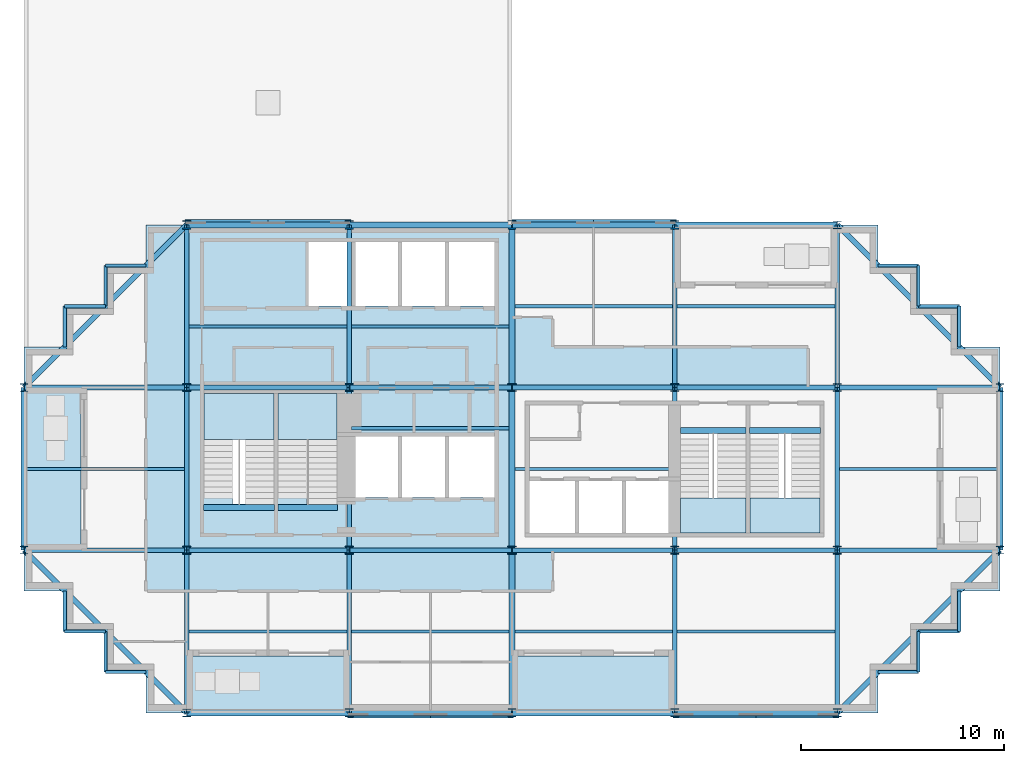
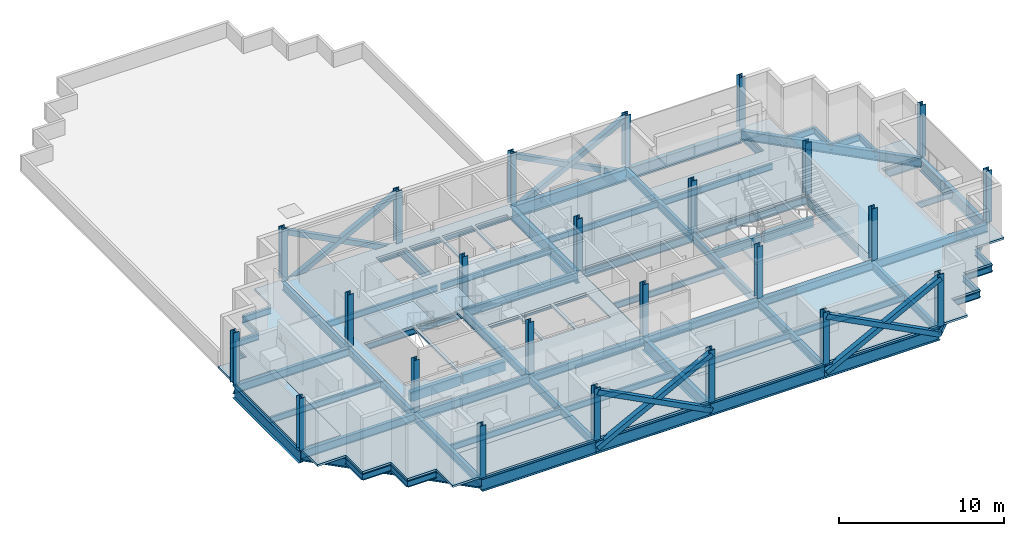
# One storey, part 1 of 9: 73 beams, 24 columns, 9 slabs, 8 members, 4 elements without a shape of their own.
"""IFC4 building model written with IfcOpenShell, lengths in metres."""

from ifc_helpers import new_model, si_unit, direction, frame, origin, origin_2d, place, context, subcontext, project, spatial, polyline, rectangle, hollow_rectangle, i_section, outline, extrude, material, layer, layer_set, material_profile, profile_set, type_object, element, aggregate, save


model = new_model("IFC4")

# Units and contexts
model_context = context("Model", 3, precision=1e-05, world=origin(), true_north=direction((0.0, 1.0)))
body_context = subcontext(model_context, "Body", "Model", "MODEL_VIEW")
ifc_project = project(units=[si_unit("LENGTHUNIT", "METRE"), si_unit("AREAUNIT", "SQUARE_METRE"), si_unit("VOLUMEUNIT", "CUBIC_METRE"), si_unit("PLANEANGLEUNIT", "RADIAN"), si_unit("MASSUNIT", "GRAM", prefix="KILO")], contexts=[model_context])

# Site, building, storey
site_placement = place(None, origin())
site = spatial("IfcSite", under=ifc_project, at=site_placement, CompositionType="ELEMENT")
building_placement = place(site_placement, origin())
building = spatial("IfcBuilding", under=site, at=building_placement, Name="Immortelle Media Tower", CompositionType="ELEMENT")
storey_placement = place(building_placement, frame((0.0, 0.0, 189.0)))
storey = spatial("IfcBuildingStorey", under=building, at=storey_placement, Name="L39", CompositionType="ELEMENT", Elevation=189.0)

# Columns
ifc_material_1 = material(Name="Steel ASTM A992 Gr 50", Category="steel")
ifc_material_profile_1 = material_profile(ifc_material_1, i_section(OverallWidth=0.39404296875, OverallDepth=0.3759765625, WebThickness=0.01708984375, FlangeThickness=0.028076171875, at=origin_2d()), Name="W14x145")
ifc_profile_set_1 = profile_set([ifc_material_profile_1], Name="Steel ASTM A992 Gr 50")
column_type_1 = type_object("IfcColumnType", Name="W14x145 column", PredefinedType="COLUMN", material=ifc_profile_set_1)
for number, where, z_axis, x_axis, name in (
    (1, (8.0, 8.0, 0.0), (0.0, 0.0, 1.0), (1.0, 0.0, 0.0), "Column 2/B"),
    (2, (8.0, 16.0, 0.0), (0.0, 0.0, 1.0), (1.0, 0.0, 0.0), "Column 2/C"),
    (3, (16.0, 8.0, 0.0), (0.0, 0.0, 1.0), (1.0, 0.0, 0.0), "Column 3/B"),
    (4, (16.0, 16.0, 0.0), (0.0, 0.0, 1.0), (1.0, 0.0, 0.0), "Column 3/C"),
    (5, (32.0, 8.0, 0.0), (0.0, 0.0, 1.0), (1.0, 0.0, 0.0), "Column 5/B"),
    (6, (32.0, 16.0, 0.0), (0.0, 0.0, 1.0), (1.0, 0.0, 0.0), "Column 5/C"),
    (7, (40.0, 8.0, 0.0), (0.0, 0.0, 1.0), (1.0, 0.0, 0.0), "Column 6/B"),
    (8, (40.0, 16.0, 0.0), (0.0, 0.0, 1.0), (1.0, 0.0, 0.0), "Column 6/C"),
):
    element("IfcColumn", number, at=place(storey_placement, frame(where, z_axis=z_axis, x_axis=x_axis)), inside=storey, type_object=column_type_1, Name=name, PredefinedType="COLUMN", context=body_context, shape_type="SweptSolid", body=[
        extrude(i_section(OverallWidth=0.39404296875, OverallDepth=0.3759765625, WebThickness=0.01708984375, FlangeThickness=0.028076171875, at=origin_2d()), origin(), (0.0, 0.0, 1.0), 3.85009765625),
    ])
ifc_material_profile_2 = material_profile(ifc_material_1, i_section(OverallWidth=0.39892578125, OverallDepth=0.385986328125, WebThickness=0.02099609375, FlangeThickness=0.032958984375, at=origin_2d()), Name="W14x176")
ifc_profile_set_2 = profile_set([ifc_material_profile_2], Name="Steel ASTM A992 Gr 50")
column_type_2 = type_object("IfcColumnType", Name="W14x176 column", PredefinedType="COLUMN", material=ifc_profile_set_2)
for number, where, z_axis, x_axis, name in (
    (9, (24.0, 8.0, 0.0), (0.0, 0.0, 1.0), (1.0, 0.0, 0.0), "Column 4/B"),
    (10, (24.0, 16.0, 0.0), (0.0, 0.0, 1.0), (1.0, 0.0, 0.0), "Column 4/C"),
):
    element("IfcColumn", number, at=place(storey_placement, frame(where, z_axis=z_axis, x_axis=x_axis)), inside=storey, type_object=column_type_2, Name=name, PredefinedType="COLUMN", context=body_context, shape_type="SweptSolid", body=[
        extrude(i_section(OverallWidth=0.39892578125, OverallDepth=0.385986328125, WebThickness=0.02099609375, FlangeThickness=0.032958984375, at=origin_2d()), origin(), (0.0, 0.0, 1.0), 3.85009765625),
    ])
ifc_material_profile_3 = material_profile(ifc_material_1, i_section(OverallWidth=0.40087890625, OverallDepth=0.39892578125, WebThickness=0.02490234375, FlangeThickness=0.0400390625, at=origin_2d()), Name="W14x211")
ifc_profile_set_3 = profile_set([ifc_material_profile_3], Name="Steel ASTM A992 Gr 50")
column_type_3 = type_object("IfcColumnType", Name="W14x211 column", PredefinedType="COLUMN", material=ifc_profile_set_3)
for number, where, z_axis, x_axis, name in (
    (11, (0.0, 8.0, 0.0), (0.0, 0.0, 1.0), (1.0, 0.0, 0.0), "Column 1/B"),
    (12, (0.0, 16.0, 0.0), (0.0, 0.0, 1.0), (1.0, 0.0, 0.0), "Column 1/C"),
    (13, (8.0, 0.0, 0.0), (0.0, 0.0, 1.0), (1.0, 0.0, 0.0), "Column 2/A"),
    (14, (40.0, 24.0, 0.0), (0.0, 0.0, 1.0), (1.0, 0.0, 0.0), "Column 6/D"),
    (15, (48.0, 8.0, 0.0), (0.0, 0.0, 1.0), (1.0, 0.0, 0.0), "Column 7/B"),
    (16, (48.0, 16.0, 0.0), (0.0, 0.0, 1.0), (1.0, 0.0, 0.0), "Column 7/C"),
):
    element("IfcColumn", number, at=place(storey_placement, frame(where, z_axis=z_axis, x_axis=x_axis)), inside=storey, type_object=column_type_3, Name=name, PredefinedType="COLUMN", context=body_context, shape_type="SweptSolid", body=[
        extrude(i_section(OverallWidth=0.40087890625, OverallDepth=0.39892578125, WebThickness=0.02490234375, FlangeThickness=0.0400390625, at=origin_2d()), origin(), (0.0, 0.0, 1.0), 3.85009765625),
    ])
ifc_material_profile_4 = material_profile(ifc_material_1, i_section(OverallWidth=0.410888671875, OverallDepth=0.43408203125, WebThickness=0.035888671875, FlangeThickness=0.056884765625, at=origin_2d()), Name="W14x311")
ifc_profile_set_4 = profile_set([ifc_material_profile_4], Name="Steel ASTM A992 Gr 50")
column_type_4 = type_object("IfcColumnType", Name="W14x311 column", PredefinedType="COLUMN", material=ifc_profile_set_4)
for number, where, z_axis, x_axis, name in (
    (17, (8.0, 24.0, 0.0), (0.0, 0.0, 1.0), (1.0, 0.0, 0.0), "Column 2/D"),
    (18, (16.0, 0.0, 0.0), (0.0, 0.0, 1.0), (1.0, 0.0, 0.0), "Column 3/A"),
    (19, (16.0, 24.0, 0.0), (0.0, 0.0, 1.0), (1.0, 0.0, 0.0), "Column 3/D"),
    (20, (24.0, 0.0, 0.0), (0.0, 0.0, 1.0), (1.0, 0.0, 0.0), "Column 4/A"),
    (21, (24.0, 24.0, 0.0), (0.0, 0.0, 1.0), (1.0, 0.0, 0.0), "Column 4/D"),
    (22, (32.0, 0.0, 0.0), (0.0, 0.0, 1.0), (1.0, 0.0, 0.0), "Column 5/A"),
    (23, (32.0, 24.0, 0.0), (0.0, 0.0, 1.0), (1.0, 0.0, 0.0), "Column 5/D"),
    (24, (40.0, 0.0, 0.0), (0.0, 0.0, 1.0), (1.0, 0.0, 0.0), "Column 6/A"),
):
    element("IfcColumn", number, at=place(storey_placement, frame(where, z_axis=z_axis, x_axis=x_axis)), inside=storey, type_object=column_type_4, Name=name, PredefinedType="COLUMN", context=body_context, shape_type="SweptSolid", body=[
        extrude(i_section(OverallWidth=0.410888671875, OverallDepth=0.43408203125, WebThickness=0.035888671875, FlangeThickness=0.056884765625, at=origin_2d()), origin(), (0.0, 0.0, 1.0), 3.85009765625),
    ])

# Members
ifc_material_2 = material(Name="Steel ASTM A500 Gr C", Category="steel")
ifc_material_profile_5 = material_profile(ifc_material_2, hollow_rectangle(XDim=0.35595703125, YDim=0.35595703125, WallThickness=0.011962890625, at=origin_2d()), Name="HSS14x14x1/2 brace")
ifc_profile_set_5 = profile_set([ifc_material_profile_5], Name="Steel ASTM A500 Gr C")
member_type = type_object("IfcMemberType", Name="HSS14x14x1/2 brace", PredefinedType="BRACE", material=ifc_profile_set_5)
for number, where, z_axis, x_axis, name in (
    (25, (16.0, -0.087890625, -0.60693359375), (0.887630683663, 0.0, 0.46055593517), (0.0, 1.0, 0.0), "Brace A/3-4 A"),
    (26, (16.0, -0.087890625, 3.5439453125), (0.887630683663, 0.0, -0.46055593517), (0.0, 1.0, 0.0), "Brace A/3-4 B"),
    (27, (32.0, -0.087890625, -0.60693359375), (0.887630683663, 0.0, 0.46055593517), (0.0, 1.0, 0.0), "Brace A/5-6 A"),
    (28, (32.0, -0.087890625, 3.5439453125), (0.887630683663, 0.0, -0.46055593517), (0.0, 1.0, 0.0), "Brace A/5-6 B"),
    (29, (32.0, 24.087890625, -0.60693359375), (-0.887630683663, 0.0, 0.46055593517), (0.0, -1.0, 0.0), "Brace D/4-5 A"),
    (30, (32.0, 24.087890625, 3.5439453125), (-0.887630683663, 0.0, -0.46055593517), (0.0, -1.0, 0.0), "Brace D/4-5 B"),
    (31, (16.0, 24.087890625, -0.60693359375), (-0.887630683663, 0.0, 0.46055593517), (0.0, -1.0, 0.0), "Brace D/2-3 A"),
    (32, (16.0, 24.087890625, 3.5439453125), (-0.887630683663, 0.0, -0.46055593517), (0.0, -1.0, 0.0), "Brace D/2-3 B"),
):
    element("IfcMember", number, at=place(storey_placement, frame(where, z_axis=z_axis, x_axis=x_axis)), inside=storey, type_object=member_type, Name=name, PredefinedType="BRACE", context=body_context, shape_type="SweptSolid", body=[
        extrude(hollow_rectangle(XDim=0.35595703125, YDim=0.35595703125, WallThickness=0.011962890625, at=origin_2d()), origin(), (0.0, 0.0, 1.0), 9.0126953125),
    ])

# Beams
ifc_material_3 = material(Name="Concrete C50/60", Category="concrete")
ifc_material_profile_6 = material_profile(ifc_material_3, rectangle(XDim=0.300048828125, YDim=0.699951171875, at=origin_2d()), Name="RC 300x700")
ifc_profile_set_6 = profile_set([ifc_material_profile_6], Name="Concrete C50/60")
beam_type_1 = type_object("IfcBeamType", Name="Stair trimmer beam 300 x 700", PredefinedType="BEAM", material=ifc_profile_set_6)
beam_1_placement = place(storey_placement, frame((8.830078125, 10.10498046875, -0.5), z_axis=(1.0, 0.0, 0.0), x_axis=(0.0, 1.0, 0.0)))
element("IfcBeam", 33, at=beam_1_placement, inside=storey, type_object=beam_type_1, Name="Stair trimmer beam SW1", PredefinedType="BEAM", context=body_context, shape_type="SweptSolid", body=[
    extrude(rectangle(XDim=0.300048828125, YDim=0.699951171875, at=origin_2d()), origin(), (0.0, 0.0, 1.0), 3.489990234375),
])
beam_2_placement = place(storey_placement, frame((12.47998046875, 10.10498046875, -0.5), z_axis=(1.0, 0.0, 0.0), x_axis=(0.0, 1.0, 0.0)))
element("IfcBeam", 34, at=beam_2_placement, inside=storey, type_object=beam_type_1, Name="Stair trimmer beam SW2", PredefinedType="BEAM", context=body_context, shape_type="SweptSolid", body=[
    extrude(rectangle(XDim=0.300048828125, YDim=0.699951171875, at=origin_2d()), origin(), (0.0, 0.0, 1.0), 2.93994140625),
])
beam_3_placement = place(storey_placement, frame((32.280029296875, 13.89501953125, -0.5), z_axis=(1.0, 0.0, 0.0), x_axis=(0.0, 1.0, 0.0)))
element("IfcBeam", 35, at=beam_3_placement, inside=storey, type_object=beam_type_1, Name="Stair trimmer beam SE1", PredefinedType="BEAM", context=body_context, shape_type="SweptSolid", body=[
    extrude(rectangle(XDim=0.300048828125, YDim=0.699951171875, at=origin_2d()), origin(), (0.0, 0.0, 1.0), 3.239990234375),
])
beam_4_placement = place(storey_placement, frame((35.679931640625, 13.89501953125, -0.5), z_axis=(1.0, 0.0, 0.0), x_axis=(0.0, 1.0, 0.0)))
element("IfcBeam", 36, at=beam_4_placement, inside=storey, type_object=beam_type_1, Name="Stair trimmer beam SE2", PredefinedType="BEAM", context=body_context, shape_type="SweptSolid", body=[
    extrude(rectangle(XDim=0.300048828125, YDim=0.699951171875, at=origin_2d()), origin(), (0.0, 0.0, 1.0), 3.489990234375),
])
ifc_material_profile_7 = material_profile(ifc_material_1, i_section(OverallWidth=0.153076171875, OverallDepth=0.455078125, WebThickness=0.008056640625, FlangeThickness=0.012939453125, at=origin_2d()), Name="W18x40")
ifc_profile_set_7 = profile_set([ifc_material_profile_7], Name="Steel ASTM A992 Gr 50")
beam_type_2 = type_object("IfcBeamType", Name="W18x40 secondary beam", PredefinedType="JOIST", material=ifc_profile_set_7)
beam_5_placement = place(storey_placement, frame((8.114013671875, 4.0, -0.37744140625), z_axis=(1.0, 0.0, 0.0), x_axis=(0.0, 1.0, 0.0)))
element("IfcBeam", 37, at=beam_5_placement, inside=storey, type_object=beam_type_2, Name="Beam A-B/2-3", PredefinedType="JOIST", context=body_context, shape_type="SweptSolid", body=[
    extrude(i_section(OverallWidth=0.153076171875, OverallDepth=0.455078125, WebThickness=0.008056640625, FlangeThickness=0.012939453125, at=origin_2d()), origin(), (0.0, 0.0, 1.0), 7.77197265625),
])
for number, where, z_axis, x_axis, name in (
    (38, (16.114013671875, 4.0, -0.37744140625), (1.0, 0.0, 0.0), (0.0, 1.0, 0.0), "Beam A-B/3-4"),
    (39, (24.152587890625, 4.0, -0.37744140625), (1.0, 0.0, 0.0), (0.0, 1.0, 0.0), "Beam A-B/4-5"),
):
    element("IfcBeam", number, at=place(storey_placement, frame(where, z_axis=z_axis, x_axis=x_axis)), inside=storey, type_object=beam_type_2, Name=name, PredefinedType="JOIST", context=body_context, shape_type="SweptSolid", body=[
        extrude(i_section(OverallWidth=0.153076171875, OverallDepth=0.455078125, WebThickness=0.008056640625, FlangeThickness=0.012939453125, at=origin_2d()), origin(), (0.0, 0.0, 1.0), 7.7333984375),
    ])
beam_6_placement = place(storey_placement, frame((32.114013671875, 4.0, -0.37744140625), z_axis=(1.0, 0.0, 0.0), x_axis=(0.0, 1.0, 0.0)))
element("IfcBeam", 40, at=beam_6_placement, inside=storey, type_object=beam_type_2, Name="Beam A-B/5-6", PredefinedType="JOIST", context=body_context, shape_type="SweptSolid", body=[
    extrude(i_section(OverallWidth=0.153076171875, OverallDepth=0.455078125, WebThickness=0.008056640625, FlangeThickness=0.012939453125, at=origin_2d()), origin(), (0.0, 0.0, 1.0), 7.77197265625),
])
for number, where, z_axis, x_axis, name in (
    (41, (0.152587890625, 12.0, -0.37744140625), (1.0, 0.0, 0.0), (0.0, 1.0, 0.0), "Beam B-C/1-2"),
    (42, (16.114013671875, 14.0, -0.37744140625), (1.0, 0.0, 0.0), (0.0, 1.0, 0.0), "Beam B-C/3-4"),
    (43, (24.152587890625, 12.0, -0.37744140625), (1.0, 0.0, 0.0), (0.0, 1.0, 0.0), "Beam B-C/4-5"),
    (44, (40.114013671875, 12.0, -0.37744140625), (1.0, 0.0, 0.0), (0.0, 1.0, 0.0), "Beam B-C/6-7"),
):
    element("IfcBeam", number, at=place(storey_placement, frame(where, z_axis=z_axis, x_axis=x_axis)), inside=storey, type_object=beam_type_2, Name=name, PredefinedType="JOIST", context=body_context, shape_type="SweptSolid", body=[
        extrude(i_section(OverallWidth=0.153076171875, OverallDepth=0.455078125, WebThickness=0.008056640625, FlangeThickness=0.012939453125, at=origin_2d()), origin(), (0.0, 0.0, 1.0), 7.7333984375),
    ])
beam_7_placement = place(storey_placement, frame((8.114013671875, 19.0, -0.37744140625), z_axis=(1.0, 0.0, 0.0), x_axis=(0.0, 1.0, 0.0)))
element("IfcBeam", 45, at=beam_7_placement, inside=storey, type_object=beam_type_2, Name="Beam C-D/2-3", PredefinedType="JOIST", context=body_context, shape_type="SweptSolid", body=[
    extrude(i_section(OverallWidth=0.153076171875, OverallDepth=0.455078125, WebThickness=0.008056640625, FlangeThickness=0.012939453125, at=origin_2d()), origin(), (0.0, 0.0, 1.0), 7.77197265625),
])
for number, where, z_axis, x_axis, name in (
    (46, (16.114013671875, 19.0, -0.37744140625), (1.0, 0.0, 0.0), (0.0, 1.0, 0.0), "Beam C-D/3-4"),
    (47, (24.152587890625, 20.0, -0.37744140625), (1.0, 0.0, 0.0), (0.0, 1.0, 0.0), "Beam C-D/4-5"),
):
    element("IfcBeam", number, at=place(storey_placement, frame(where, z_axis=z_axis, x_axis=x_axis)), inside=storey, type_object=beam_type_2, Name=name, PredefinedType="JOIST", context=body_context, shape_type="SweptSolid", body=[
        extrude(i_section(OverallWidth=0.153076171875, OverallDepth=0.455078125, WebThickness=0.008056640625, FlangeThickness=0.012939453125, at=origin_2d()), origin(), (0.0, 0.0, 1.0), 7.7333984375),
    ])
beam_8_placement = place(storey_placement, frame((32.114013671875, 20.0, -0.37744140625), z_axis=(1.0, 0.0, 0.0), x_axis=(0.0, 1.0, 0.0)))
element("IfcBeam", 48, at=beam_8_placement, inside=storey, type_object=beam_type_2, Name="Beam C-D/5-6", PredefinedType="JOIST", context=body_context, shape_type="SweptSolid", body=[
    extrude(i_section(OverallWidth=0.153076171875, OverallDepth=0.455078125, WebThickness=0.008056640625, FlangeThickness=0.012939453125, at=origin_2d()), origin(), (0.0, 0.0, 1.0), 7.77197265625),
])
ifc_material_profile_8 = material_profile(ifc_material_1, i_section(OverallWidth=0.153076171875, OverallDepth=0.455078125, WebThickness=0.008056640625, FlangeThickness=0.012939453125, at=origin_2d()), Name="W18x40")
ifc_profile_set_8 = profile_set([ifc_material_profile_8], Name="Steel ASTM A992 Gr 50")
beam_type_3 = type_object("IfcBeamType", Name="W18x40 serration edge beam", PredefinedType="SPANDREL", material=ifc_profile_set_8)
for number, where, z_axis, x_axis, name in (
    (49, (6.0, 2.0, -0.37744140625), (-1.0, 0.0, 0.0), (0.0, -1.0, 0.0), "Corner edge beam 1 at 1/A"),
    (50, (4.0, 2.0, -0.37744140625), (0.0, 1.0, 0.0), (-1.0, 0.0, 0.0), "Corner edge beam 2 at 1/A"),
    (51, (4.0, 4.0, -0.37744140625), (-1.0, 0.0, 0.0), (0.0, -1.0, 0.0), "Corner edge beam 3 at 1/A"),
    (52, (2.0, 4.0, -0.37744140625), (0.0, 1.0, 0.0), (-1.0, 0.0, 0.0), "Corner edge beam 4 at 1/A"),
    (53, (2.0, 18.0, -0.37744140625), (0.0, 1.0, 0.0), (-1.0, 0.0, 0.0), "Corner edge beam 1 at 1/D"),
    (54, (2.0, 20.0, -0.37744140625), (1.0, 0.0, 0.0), (0.0, 1.0, 0.0), "Corner edge beam 2 at 1/D"),
    (55, (4.0, 20.0, -0.37744140625), (0.0, 1.0, 0.0), (-1.0, 0.0, 0.0), "Corner edge beam 3 at 1/D"),
    (56, (4.0, 22.0, -0.37744140625), (1.0, 0.0, 0.0), (0.0, 1.0, 0.0), "Corner edge beam 4 at 1/D"),
    (57, (46.0, 6.0, -0.37744140625), (0.0, -1.0, 0.0), (1.0, 0.0, 0.0), "Corner edge beam 1 at 7/A"),
    (58, (46.0, 4.0, -0.37744140625), (-1.0, 0.0, 0.0), (0.0, -1.0, 0.0), "Corner edge beam 2 at 7/A"),
    (59, (44.0, 4.0, -0.37744140625), (0.0, -1.0, 0.0), (1.0, 0.0, 0.0), "Corner edge beam 3 at 7/A"),
    (60, (44.0, 2.0, -0.37744140625), (-1.0, 0.0, 0.0), (0.0, -1.0, 0.0), "Corner edge beam 4 at 7/A"),
    (61, (42.0, 22.0, -0.37744140625), (1.0, 0.0, 0.0), (0.0, 1.0, 0.0), "Corner edge beam 1 at 7/D"),
    (62, (44.0, 22.0, -0.37744140625), (0.0, -1.0, 0.0), (1.0, 0.0, 0.0), "Corner edge beam 2 at 7/D"),
    (63, (44.0, 20.0, -0.37744140625), (1.0, 0.0, 0.0), (0.0, 1.0, 0.0), "Corner edge beam 3 at 7/D"),
    (64, (46.0, 20.0, -0.37744140625), (0.0, -1.0, 0.0), (1.0, 0.0, 0.0), "Corner edge beam 4 at 7/D"),
):
    element("IfcBeam", number, at=place(storey_placement, frame(where, z_axis=z_axis, x_axis=x_axis)), inside=storey, type_object=beam_type_3, Name=name, PredefinedType="SPANDREL", context=body_context, shape_type="SweptSolid", body=[
        extrude(i_section(OverallWidth=0.153076171875, OverallDepth=0.455078125, WebThickness=0.008056640625, FlangeThickness=0.012939453125, at=origin_2d()), origin(), (0.0, 0.0, 1.0), 2.0),
    ])
ifc_material_profile_9 = material_profile(ifc_material_1, i_section(OverallWidth=0.22802734375, OverallDepth=0.60205078125, WebThickness=0.010986328125, FlangeThickness=0.014892578125, at=origin_2d()), Name="W24x68")
ifc_profile_set_9 = profile_set([ifc_material_profile_9], Name="Steel ASTM A992 Gr 50")
beam_type_4 = type_object("IfcBeamType", Name="W24x68 girder", PredefinedType="BEAM", material=ifc_profile_set_9)
for number, where, z_axis, x_axis, name in (
    (65, (0.0, 8.0, -0.450927734375), (1.0, 0.0, 0.0), (0.0, 1.0, 0.0), "Girder B/1-2"),
    (66, (0.0, 16.0, -0.450927734375), (1.0, 0.0, 0.0), (0.0, 1.0, 0.0), "Girder C/1-2"),
    (67, (8.0, 0.0, -0.450927734375), (0.0, 1.0, 0.0), (-1.0, 0.0, 0.0), "Girder 2/A-B"),
    (68, (8.0, 8.0, -0.450927734375), (1.0, 0.0, 0.0), (0.0, 1.0, 0.0), "Girder B/2-3"),
    (69, (8.0, 8.0, -0.450927734375), (0.0, 1.0, 0.0), (-1.0, 0.0, 0.0), "Girder 2/B-C"),
    (70, (8.0, 16.0, -0.450927734375), (1.0, 0.0, 0.0), (0.0, 1.0, 0.0), "Girder C/2-3"),
    (71, (8.0, 16.0, -0.450927734375), (0.0, 1.0, 0.0), (-1.0, 0.0, 0.0), "Girder 2/C-D"),
    (72, (16.0, 0.0, -0.450927734375), (0.0, 1.0, 0.0), (-1.0, 0.0, 0.0), "Girder 3/A-B"),
    (73, (16.0, 8.0, -0.450927734375), (1.0, 0.0, 0.0), (0.0, 1.0, 0.0), "Girder B/3-4"),
    (74, (16.0, 8.0, -0.450927734375), (0.0, 1.0, 0.0), (-1.0, 0.0, 0.0), "Girder 3/B-C"),
    (75, (16.0, 16.0, -0.450927734375), (1.0, 0.0, 0.0), (0.0, 1.0, 0.0), "Girder C/3-4"),
    (76, (16.0, 16.0, -0.450927734375), (0.0, 1.0, 0.0), (-1.0, 0.0, 0.0), "Girder 3/C-D"),
    (77, (24.0, 8.0, -0.450927734375), (1.0, 0.0, 0.0), (0.0, 1.0, 0.0), "Girder B/4-5"),
    (78, (24.0, 16.0, -0.450927734375), (1.0, 0.0, 0.0), (0.0, 1.0, 0.0), "Girder C/4-5"),
    (79, (32.0, 0.0, -0.450927734375), (0.0, 1.0, 0.0), (-1.0, 0.0, 0.0), "Girder 5/A-B"),
    (80, (32.0, 8.0, -0.450927734375), (1.0, 0.0, 0.0), (0.0, 1.0, 0.0), "Girder B/5-6"),
    (81, (32.0, 8.0, -0.450927734375), (0.0, 1.0, 0.0), (-1.0, 0.0, 0.0), "Girder 5/B-C"),
    (82, (32.0, 16.0, -0.450927734375), (1.0, 0.0, 0.0), (0.0, 1.0, 0.0), "Girder C/5-6"),
    (83, (32.0, 16.0, -0.450927734375), (0.0, 1.0, 0.0), (-1.0, 0.0, 0.0), "Girder 5/C-D"),
    (84, (40.0, 0.0, -0.450927734375), (0.0, 1.0, 0.0), (-1.0, 0.0, 0.0), "Girder 6/A-B"),
    (85, (40.0, 8.0, -0.450927734375), (1.0, 0.0, 0.0), (0.0, 1.0, 0.0), "Girder B/6-7"),
    (86, (40.0, 8.0, -0.450927734375), (0.0, 1.0, 0.0), (-1.0, 0.0, 0.0), "Girder 6/B-C"),
    (87, (40.0, 16.0, -0.450927734375), (1.0, 0.0, 0.0), (0.0, 1.0, 0.0), "Girder C/6-7"),
    (88, (40.0, 16.0, -0.450927734375), (0.0, 1.0, 0.0), (-1.0, 0.0, 0.0), "Girder 6/C-D"),
):
    element("IfcBeam", number, at=place(storey_placement, frame(where, z_axis=z_axis, x_axis=x_axis)), inside=storey, type_object=beam_type_4, Name=name, PredefinedType="BEAM", context=body_context, shape_type="SweptSolid", body=[
        extrude(i_section(OverallWidth=0.22802734375, OverallDepth=0.60205078125, WebThickness=0.010986328125, FlangeThickness=0.014892578125, at=origin_2d()), origin(), (0.0, 0.0, 1.0), 8.0),
    ])
ifc_material_profile_10 = material_profile(ifc_material_1, i_section(OverallWidth=0.257080078125, OverallDepth=0.693115234375, WebThickness=0.013916015625, FlangeThickness=0.02392578125, at=origin_2d()), Name="W27x114")
ifc_profile_set_10 = profile_set([ifc_material_profile_10], Name="Steel ASTM A992 Gr 50")
beam_type_5 = type_object("IfcBeamType", Name="W27x114 corner girder", PredefinedType="SPANDREL", material=ifc_profile_set_10)
for number, where, z_axis, x_axis, name in (
    (89, (8.0, 0.0, -0.49658203125), (-0.707106781187, 0.707106781187, 0.0), (-0.707106781187, -0.707106781187, 0.0), "Corner girder at 1/A"),
    (90, (0.0, 16.0, -0.49658203125), (0.707106781187, 0.707106781187, 0.0), (-0.707106781187, 0.707106781187, 0.0), "Corner girder at 1/D"),
    (91, (48.0, 8.0, -0.49658203125), (-0.707106781187, -0.707106781187, 0.0), (0.707106781187, -0.707106781187, 0.0), "Corner girder at 7/A"),
    (92, (40.0, 24.0, -0.49658203125), (0.707106781187, -0.707106781187, 0.0), (0.707106781187, 0.707106781187, 0.0), "Corner girder at 7/D"),
):
    element("IfcBeam", number, at=place(storey_placement, frame(where, z_axis=z_axis, x_axis=x_axis)), inside=storey, type_object=beam_type_5, Name=name, PredefinedType="SPANDREL", context=body_context, shape_type="SweptSolid", body=[
        extrude(i_section(OverallWidth=0.257080078125, OverallDepth=0.693115234375, WebThickness=0.013916015625, FlangeThickness=0.02392578125, at=origin_2d()), origin(), (0.0, 0.0, 1.0), 11.313720703125),
    ])
ifc_material_profile_11 = material_profile(ifc_material_1, i_section(OverallWidth=0.304931640625, OverallDepth=0.9140625, WebThickness=0.01708984375, FlangeThickness=0.02587890625, at=origin_2d()), Name="W36x160")
ifc_profile_set_11 = profile_set([ifc_material_profile_11], Name="Steel ASTM A992 Gr 50")
beam_type_6 = type_object("IfcBeamType", Name="W36x160 perimeter girder", PredefinedType="SPANDREL", material=ifc_profile_set_11)
for number, where, z_axis, x_axis, name in (
    (93, (0.0, 8.0, -0.60693359375), (0.0, 1.0, 0.0), (-1.0, 0.0, 0.0), "Girder 1/B-C"),
    (94, (8.0, 0.0, -0.60693359375), (1.0, 0.0, 0.0), (0.0, 1.0, 0.0), "Girder A/2-3"),
    (95, (8.0, 24.0, -0.60693359375), (1.0, 0.0, 0.0), (0.0, 1.0, 0.0), "Girder D/2-3"),
    (96, (16.0, 0.0, -0.60693359375), (1.0, 0.0, 0.0), (0.0, 1.0, 0.0), "Girder A/3-4"),
    (97, (16.0, 24.0, -0.60693359375), (1.0, 0.0, 0.0), (0.0, 1.0, 0.0), "Girder D/3-4"),
    (98, (24.0, 0.0, -0.60693359375), (1.0, 0.0, 0.0), (0.0, 1.0, 0.0), "Girder A/4-5"),
    (99, (24.0, 0.0, -0.60693359375), (0.0, 1.0, 0.0), (-1.0, 0.0, 0.0), "Girder 4/A-B"),
    (100, (24.0, 8.0, -0.60693359375), (0.0, 1.0, 0.0), (-1.0, 0.0, 0.0), "Girder 4/B-C"),
    (101, (24.0, 16.0, -0.60693359375), (0.0, 1.0, 0.0), (-1.0, 0.0, 0.0), "Girder 4/C-D"),
    (102, (24.0, 24.0, -0.60693359375), (1.0, 0.0, 0.0), (0.0, 1.0, 0.0), "Girder D/4-5"),
    (103, (32.0, 0.0, -0.60693359375), (1.0, 0.0, 0.0), (0.0, 1.0, 0.0), "Girder A/5-6"),
    (104, (32.0, 24.0, -0.60693359375), (1.0, 0.0, 0.0), (0.0, 1.0, 0.0), "Girder D/5-6"),
    (105, (48.0, 8.0, -0.60693359375), (0.0, 1.0, 0.0), (-1.0, 0.0, 0.0), "Girder 7/B-C"),
):
    element("IfcBeam", number, at=place(storey_placement, frame(where, z_axis=z_axis, x_axis=x_axis)), inside=storey, type_object=beam_type_6, Name=name, PredefinedType="SPANDREL", context=body_context, shape_type="SweptSolid", body=[
        extrude(i_section(OverallWidth=0.304931640625, OverallDepth=0.9140625, WebThickness=0.01708984375, FlangeThickness=0.02587890625, at=origin_2d()), origin(), (0.0, 0.0, 1.0), 8.0),
    ])

# Slabs
ifc_material_4 = material(Name="Concrete C50/60 composite deck", Category="concrete")
ifc_layer_1 = layer(ifc_material_4, 0.14990234375)
ifc_layer_set_1 = layer_set([ifc_layer_1], Name="Concrete C50/60 composite deck")
slab_type_1 = type_object("IfcSlabType", Name="Balcony slab 150", PredefinedType="FLOOR", material=ifc_layer_set_1)
slab_1_placement = place(storey_placement, frame((0.0, 0.0, -0.14990234375)))
element("IfcSlab", 106, at=slab_1_placement, inside=storey, type_object=slab_type_1, Name="Balcony slab L39 S0", PredefinedType="FLOOR", context=body_context, shape_type="SweptSolid", body=[
    extrude(outline(polyline([(16.0, 0.0), (16.0, 2.800048828125), (8.0, 2.800048828125), (8.0, 0.0), (16.0, 0.0)])), origin(), (0.0, 0.0, 1.0), 0.14990234375),
])
slab_2_placement = place(storey_placement, frame((0.0, 0.0, -0.14990234375)))
element("IfcSlab", 107, at=slab_2_placement, inside=storey, type_object=slab_type_1, Name="Balcony slab L39 S2", PredefinedType="FLOOR", context=body_context, shape_type="SweptSolid", body=[
    extrude(outline(polyline([(32.0, 0.0), (32.0, 2.800048828125), (24.0, 2.800048828125), (24.0, 0.0), (32.0, 0.0)])), origin(), (0.0, 0.0, 1.0), 0.14990234375),
])
slab_3_placement = place(storey_placement, frame((0.0, 0.0, -0.14990234375)))
element("IfcSlab", 108, at=slab_3_placement, inside=storey, type_object=slab_type_1, Name="Balcony slab L39 W0", PredefinedType="FLOOR", context=body_context, shape_type="SweptSolid", body=[
    extrude(outline(polyline([(2.800048828125, 8.0), (2.800048828125, 16.0), (0.0, 16.0), (0.0, 8.0), (2.800048828125, 8.0)])), origin(), (0.0, 0.0, 1.0), 0.14990234375),
])
ifc_layer_2 = layer(ifc_material_3, 0.14990234375)
ifc_layer_set_2 = layer_set([ifc_layer_2], Name="Concrete C50/60")
slab_type_2 = type_object("IfcSlabType", Name="Composite floor slab 150", PredefinedType="FLOOR", material=ifc_layer_set_2)
slab_4_placement = place(storey_placement, frame((0.0, 0.0, -0.14990234375)))
element("IfcSlab", 109, at=slab_4_placement, inside=storey, type_object=slab_type_2, Name="Floor slab L39", PredefinedType="FLOOR", context=body_context, shape_type="SweptSolid", body=[
    extrude(outline(polyline([(6.0, 0.0), (6.0, 2.0), (4.0, 2.0), (4.0, 4.0), (2.0, 4.0), (2.0, 6.0), (0.0, 6.0), (0.0, 8.0), (2.800048828125, 8.0), (2.800048828125, 16.0), (0.0, 16.0), (0.0, 18.0), (2.0, 18.0), (2.0, 20.0), (4.0, 20.0), (4.0, 22.0), (6.0, 22.0), (6.0, 24.0), (8.0, 24.0), (8.0, 8.0), (24.0, 8.0), (40.0, 8.0), (40.0, 16.0), (24.0, 16.0), (24.0, 21.199951171875), (24.0, 24.0), (32.0, 24.0), (32.0, 21.199951171875), (40.0, 21.199951171875), (40.0, 24.0), (42.0, 24.0), (42.0, 22.0), (44.0, 22.0), (44.0, 20.0), (46.0, 20.0), (46.0, 18.0), (48.0, 18.0), (48.0, 16.0), (45.199951171875, 16.0), (45.199951171875, 8.0), (48.0, 8.0), (48.0, 6.0), (46.0, 6.0), (46.0, 4.0), (44.0, 4.0), (44.0, 2.0), (42.0, 2.0), (42.0, 0.0), (32.0, 0.0), (32.0, 2.800048828125), (24.0, 2.800048828125), (24.0, 0.0), (16.0, 0.0), (16.0, 2.800048828125), (8.0, 2.800048828125), (8.0, 0.0), (6.0, 0.0)])), origin(), (0.0, 0.0, 1.0), 0.14990234375),
])
ifc_layer_3 = layer(ifc_material_3, 0.14990234375)
ifc_layer_set_3 = layer_set([ifc_layer_3], Name="Concrete C50/60")
slab_type_3 = type_object("IfcSlabType", Name="Core floor slab 150", PredefinedType="FLOOR", material=ifc_layer_set_3)
slab_5_placement = place(storey_placement, frame((0.0, 0.0, -0.14990234375)))
element("IfcSlab", 110, at=slab_5_placement, inside=storey, type_object=slab_type_3, Name="Core floor SW", PredefinedType="FLOOR", context=body_context, shape_type="SweptSolid", body=[
    extrude(outline(polyline([(8.0, 8.0), (24.0, 8.0), (24.0, 24.0), (8.0, 24.0), (8.0, 8.0)]), holes=[polyline([(14.0, 20.0), (16.10009765625, 20.0), (16.10009765625, 23.14990234375), (14.0, 23.14990234375), (14.0, 20.0)]), polyline([(16.300048828125, 20.0), (18.39990234375, 20.0), (18.39990234375, 23.14990234375), (16.300048828125, 23.14990234375), (16.300048828125, 20.0)]), polyline([(18.60009765625, 20.0), (20.699951171875, 20.0), (20.699951171875, 23.14990234375), (18.60009765625, 23.14990234375), (18.60009765625, 20.0)]), polyline([(20.89990234375, 20.0), (23.14990234375, 20.0), (23.14990234375, 23.14990234375), (20.89990234375, 23.14990234375), (20.89990234375, 20.0)]), polyline([(16.300048828125, 10.60009765625), (18.39990234375, 10.60009765625), (18.39990234375, 13.60009765625), (16.300048828125, 13.60009765625), (16.300048828125, 10.60009765625)]), polyline([(18.60009765625, 10.60009765625), (20.699951171875, 10.60009765625), (20.699951171875, 13.60009765625), (18.60009765625, 13.60009765625), (18.60009765625, 10.60009765625)]), polyline([(20.89990234375, 10.60009765625), (23.14990234375, 10.60009765625), (23.14990234375, 13.60009765625), (20.89990234375, 13.60009765625), (20.89990234375, 10.60009765625)]), polyline([(8.85009765625, 15.699951171875), (12.300048828125, 15.699951171875), (12.300048828125, 10.27001953125), (10.25, 10.27001953125), (10.25, 10.56005859375), (8.85009765625, 10.56005859375), (8.85009765625, 15.699951171875)]), polyline([(12.5, 15.699951171875), (15.39990234375, 15.699951171875), (15.39990234375, 10.27001953125), (13.89990234375, 10.27001953125), (13.89990234375, 10.56005859375), (12.5, 10.56005859375), (12.5, 15.699951171875)])]), origin(), (0.0, 0.0, 1.0), 0.14990234375),
])

# Stair, slab
stair_type = type_object("IfcStairType", Name="Stair with flights", PredefinedType="DOUBLE_RETURN_STAIR", material=ifc_material_1)
stair_1_placement = place(storey_placement, origin())
stair_1 = element("IfcStair", 111, at=stair_1_placement, inside=storey, type_object=stair_type, Name="Exit stair SW1", PredefinedType="DOUBLE_RETURN_STAIR")
ifc_material_5 = material(Name="Steel ASTM A572 Gr 50", Category="steel")
ifc_layer_4 = layer(ifc_material_5, 0.199951171875)
ifc_layer_set_4 = layer_set([ifc_layer_4], Name="Steel ASTM A572 Gr 50")
slab_type_4 = type_object("IfcSlabType", Name="Stair landing 200", PredefinedType="LANDING", material=ifc_layer_set_4)
slab_6_placement = place(storey_placement, frame((0.0, 0.0, 1.713134765625)))
slab_6 = element("IfcSlab", 112, at=slab_6_placement, type_object=slab_type_4, Name="ST SW1 landing 1", PredefinedType="LANDING", context=body_context, shape_type="SweptSolid", body=[
    extrude(outline(polyline([(8.85009765625, 13.43994140625), (12.300048828125, 13.43994140625), (12.300048828125, 15.699951171875), (8.85009765625, 15.699951171875), (8.85009765625, 13.43994140625)])), origin(), (0.0, 0.0, 1.0), 0.199951171875),
])
aggregate(stair_1, [slab_6])

stair_2_placement = place(storey_placement, origin())
stair_2 = element("IfcStair", 113, at=stair_2_placement, inside=storey, type_object=stair_type, Name="Exit stair SW2", PredefinedType="DOUBLE_RETURN_STAIR")
slab_7_placement = place(storey_placement, frame((0.0, 0.0, 1.713134765625)))
slab_7 = element("IfcSlab", 114, at=slab_7_placement, type_object=slab_type_4, Name="ST SW2 landing 1", PredefinedType="LANDING", context=body_context, shape_type="SweptSolid", body=[
    extrude(outline(polyline([(12.5, 13.43994140625), (15.39990234375, 13.43994140625), (15.39990234375, 15.699951171875), (12.5, 15.699951171875), (12.5, 13.43994140625)])), origin(), (0.0, 0.0, 1.0), 0.199951171875),
])
aggregate(stair_2, [slab_7])

stair_3_placement = place(storey_placement, origin())
stair_3 = element("IfcStair", 115, at=stair_3_placement, inside=storey, type_object=stair_type, Name="Exit stair SE1", PredefinedType="DOUBLE_RETURN_STAIR")
slab_8_placement = place(storey_placement, frame((0.0, 0.0, 1.713134765625)))
slab_8 = element("IfcSlab", 116, at=slab_8_placement, type_object=slab_type_4, Name="ST SE1 landing 1", PredefinedType="LANDING", context=body_context, shape_type="SweptSolid", body=[
    extrude(outline(polyline([(32.300048828125, 8.85009765625), (35.5, 8.85009765625), (35.5, 10.56005859375), (32.300048828125, 10.56005859375), (32.300048828125, 8.85009765625)])), origin(), (0.0, 0.0, 1.0), 0.199951171875),
])
aggregate(stair_3, [slab_8])

stair_4_placement = place(storey_placement, origin())
stair_4 = element("IfcStair", 117, at=stair_4_placement, inside=storey, type_object=stair_type, Name="Exit stair SE2", PredefinedType="DOUBLE_RETURN_STAIR")
slab_9_placement = place(storey_placement, frame((0.0, 0.0, 1.713134765625)))
slab_9 = element("IfcSlab", 118, at=slab_9_placement, type_object=slab_type_4, Name="ST SE2 landing 1", PredefinedType="LANDING", context=body_context, shape_type="SweptSolid", body=[
    extrude(outline(polyline([(35.699951171875, 8.85009765625), (39.14990234375, 8.85009765625), (39.14990234375, 10.56005859375), (35.699951171875, 10.56005859375), (35.699951171875, 8.85009765625)])), origin(), (0.0, 0.0, 1.0), 0.199951171875),
])
aggregate(stair_4, [slab_9])

save(model, "model.ifc")
